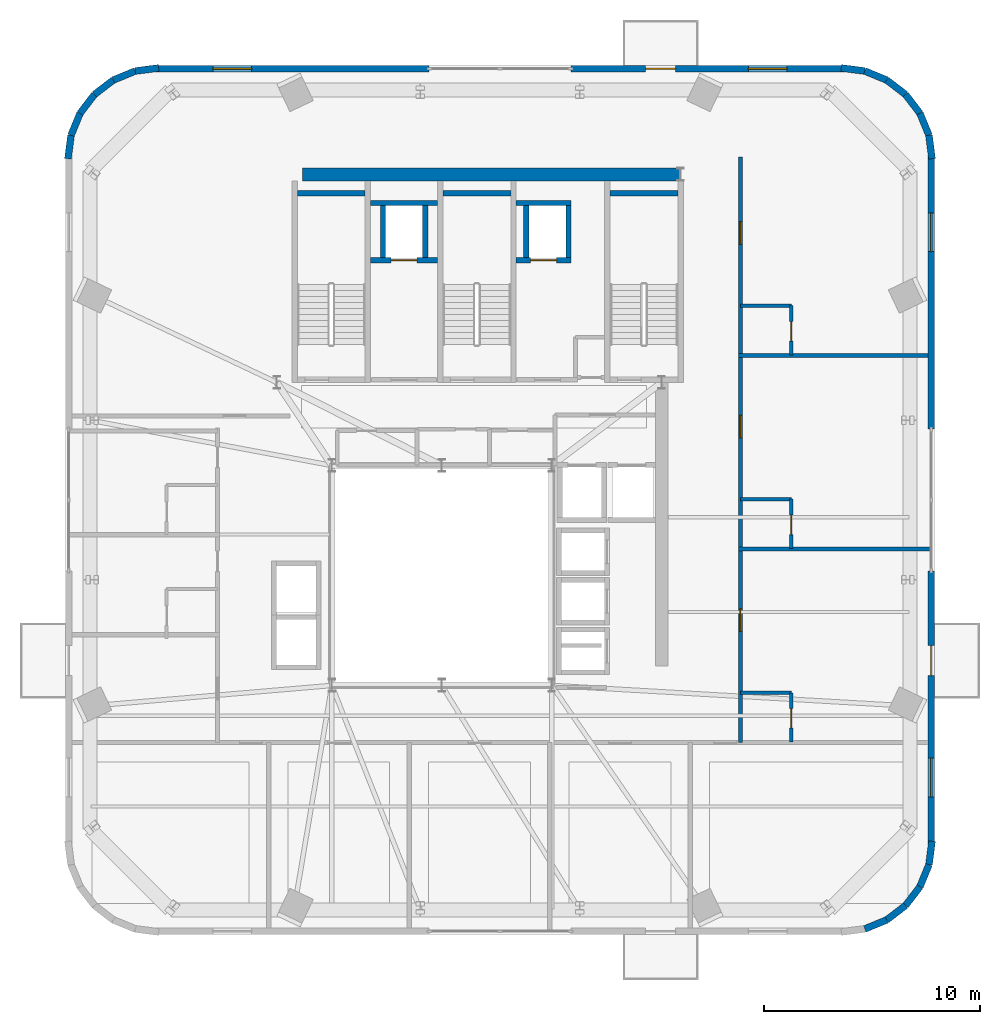
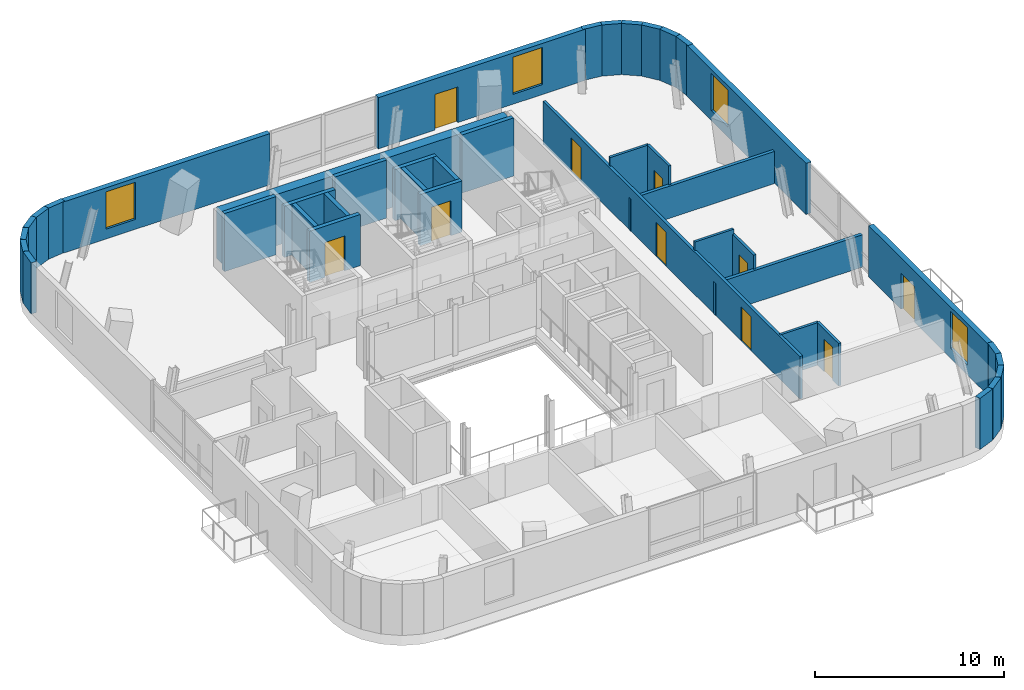
# One storey, part 9 of 13: 42 walls, 10 doors, 4 windows, 14 openings.
"""IFC4 building model written with IfcOpenShell, lengths in metres."""

import ifcopenshell
import ifcopenshell.guid

model = None  # the IFC model being written
_history = None  # IfcOwnerHistory: only IFC2X3 demands one
_inside = {}  # id of a spatial element -> (the spatial element, [elements in it])
_under = {}  # id of a project, library or spatial element -> (it, [spatial elements below it])
_declared = {}  # id of a project -> (the project, [libraries it declares])
_typed = {}  # id of a type object -> (the type object, [elements of that type])
_made_of = {}  # id of a material, layer set ... -> (it, [elements and type objects made of it])


def new_model(schema):
    """Start an empty IFC model of exactly this schema.

    Asked for "IFC4X3", IfcOpenShell would pick the latest addendum, in which some entities
    have other attributes; the version numbers below select the first issue.
    IFC2X3 requires an IfcOwnerHistory on every rooted entity: one is made here for all.
    """
    global model, _history
    if schema == "IFC4X3":
        model = ifcopenshell.file(schema_version=(4, 3, 0, 0))
    else:
        model = ifcopenshell.file(schema=schema)
    _inside.clear()
    _under.clear()
    _declared.clear()
    _typed.clear()
    _made_of.clear()
    _history = None
    if model.schema == "IFC2X3":
        org = make("IfcOrganization", Name="unknown")
        user = make(
            "IfcPersonAndOrganization",
            ThePerson=make("IfcPerson", FamilyName="unknown"),
            TheOrganization=org,
        )
        app = make(
            "IfcApplication",
            ApplicationDeveloper=org,
            Version="unknown",
            ApplicationFullName="unknown",
            ApplicationIdentifier="unknown",
        )
        _history = make(
            "IfcOwnerHistory",
            OwningUser=user,
            OwningApplication=app,
            ChangeAction="ADDED",
            CreationDate=0,
        )
    return model


def make(cls, **values):
    """One entity of the class cls with the attributes given. An attribute that is None is left unset."""
    return model.create_entity(
        cls, **{name: value for name, value in values.items() if value is not None}
    )


def rooted(cls, **values):
    """An entity with a GlobalId (a new one), such as an element, a storey or a relation."""
    return make(cls, GlobalId=ifcopenshell.guid.new(), OwnerHistory=_history, **values)


def si_unit(unit_type, name, prefix=None):
    """IfcSIUnit, for example si_unit("LENGTHUNIT", "METRE", prefix="MILLI")."""
    return make("IfcSIUnit", UnitType=unit_type, Prefix=prefix, Name=name)


def assignment(units):
    """IfcUnitAssignment: the units of a project."""
    return None if units is None else make("IfcUnitAssignment", Units=units)


def point(xyz):
    """IfcCartesianPoint."""
    return None if xyz is None else make("IfcCartesianPoint", Coordinates=xyz)


def direction(xyz):
    """IfcDirection."""
    return None if xyz is None else make("IfcDirection", DirectionRatios=xyz)


def frame(location, z_axis=None, x_axis=None):
    """IfcAxis2Placement3D, a coordinate frame: its origin and axes. An axis left out is left unset."""
    return make(
        "IfcAxis2Placement3D",
        Location=point(location),
        Axis=direction(z_axis),
        RefDirection=direction(x_axis),
    )


def frame_2d(location, x_axis=None):
    """IfcAxis2Placement2D, a coordinate frame in the plane: its origin and x axis."""
    return make(
        "IfcAxis2Placement2D", Location=point(location), RefDirection=direction(x_axis)
    )


def origin():
    """The frame at (0, 0, 0) with its axes left unset."""
    return frame((0.0, 0.0, 0.0))


def place(relative_to, where):
    """IfcLocalPlacement: puts the frame where relative to a parent placement (None: the world)."""
    return make(
        "IfcLocalPlacement", PlacementRelTo=relative_to, RelativePlacement=where
    )


def context(
    kind, dimensions, precision=None, world=None, true_north=None, identifier=None
):
    """IfcGeometricRepresentationContext, for example the 3D "Model" context."""
    return make(
        "IfcGeometricRepresentationContext",
        ContextIdentifier=identifier,
        ContextType=kind,
        CoordinateSpaceDimension=dimensions,
        Precision=precision,
        WorldCoordinateSystem=world,
        TrueNorth=true_north,
    )


def subcontext(parent, identifier, kind, view, scale=None):
    """IfcGeometricRepresentationSubContext, for example "Body" below "Model"."""
    return make(
        "IfcGeometricRepresentationSubContext",
        ContextIdentifier=identifier,
        ContextType=kind,
        ParentContext=parent,
        TargetScale=scale,
        TargetView=view,
    )


def project(units=None, contexts=None):
    """IfcProject with its units and contexts."""
    return rooted(
        "IfcProject",
        Name="project",
        RepresentationContexts=contexts,
        UnitsInContext=assignment(units),
    )


def spatial(cls, under=None, at=None, **own):
    """A site, building, storey or space (cls), placed at a placement, below another one or the project."""
    s = rooted(cls, ObjectPlacement=at, **own)
    if under is not None:
        _under.setdefault(under.id(), (under, []))[1].append(s)
    return s


def profile(cls, at=None, kind="AREA", **sizes):
    """A parametric profile (cls). Its sizes go by their IFC names, for example OverallWidth=200.0."""
    return make(cls, ProfileType=kind, Position=at, **sizes)


def rectangle(**sizes):
    """IfcRectangleProfileDef."""
    return profile("IfcRectangleProfileDef", **sizes)


def extrude(swept, where, along, depth):
    """IfcExtrudedAreaSolid: the profile swept, set in the frame where, extruded along a direction by depth."""
    return make(
        "IfcExtrudedAreaSolid",
        SweptArea=swept,
        Position=where,
        ExtrudedDirection=direction(along),
        Depth=depth,
    )


def shape(context_of_items, identifier, shape_type, items):
    """IfcShapeRepresentation: the items that make up one representation, for example the "Body"."""
    return make(
        "IfcShapeRepresentation",
        ContextOfItems=context_of_items,
        RepresentationIdentifier=identifier,
        RepresentationType=shape_type,
        Items=items,
    )


def source(mapping_origin, context_of_items, identifier, shape_type, items):
    """IfcRepresentationMap: a shape defined once, which mapped items show again and again."""
    return make(
        "IfcRepresentationMap",
        MappingOrigin=mapping_origin,
        MappedRepresentation=shape(context_of_items, identifier, shape_type, items),
    )


def transform(
    local_origin,
    x_axis=None,
    y_axis=None,
    z_axis=None,
    scale=None,
    scale2=None,
    scale3=None,
    uniform=True,
):
    """IfcCartesianTransformationOperator3D, or its non-uniform kind. x_axis, y_axis, z_axis: its Axis1, 2, 3."""
    if uniform:
        return make(
            "IfcCartesianTransformationOperator3D",
            Axis1=direction(x_axis),
            Axis2=direction(y_axis),
            LocalOrigin=point(local_origin),
            Scale=scale,
            Axis3=direction(z_axis),
        )
    return make(
        "IfcCartesianTransformationOperator3DnonUniform",
        Axis1=direction(x_axis),
        Axis2=direction(y_axis),
        LocalOrigin=point(local_origin),
        Scale=scale,
        Axis3=direction(z_axis),
        Scale2=scale2,
        Scale3=scale3,
    )


def mapped(mapping_source, mapping_target):
    """IfcMappedItem: shows the shape of a source again, moved by a transform."""
    return make(
        "IfcMappedItem", MappingSource=mapping_source, MappingTarget=mapping_target
    )


def material(Name=None, Category=None):
    """IfcMaterial."""
    return make("IfcMaterial", Name=Name, Category=Category)


def layer(
    of_material, thickness, ventilated=None, Name=None, Category=None, Priority=None
):
    """IfcMaterialLayer: one layer of a wall or slab, of a material (None: an air gap)."""
    return make(
        "IfcMaterialLayer",
        Material=of_material,
        LayerThickness=thickness,
        IsVentilated=ventilated,
        Name=Name,
        Category=Category,
        Priority=Priority,
    )


def layer_set(layers, Name=None):
    """IfcMaterialLayerSet."""
    return make("IfcMaterialLayerSet", MaterialLayers=layers, LayerSetName=Name)


def made_of(thing, what):
    """Note that an element or type object is made of a material, layer set ...; save() writes the relation."""
    if what is not None:
        _made_of.setdefault(what.id(), (what, []))[1].append(thing)
    return thing


def type_object(cls, material=None, **own):
    """A type object (cls), such as IfcWallType, which elements share."""
    return made_of(rooted(cls, **own), material)


def element(
    cls,
    number,
    at=None,
    inside=None,
    cuts=None,
    type_object=None,
    material=None,
    context=None,
    identifier="Body",
    shape_type=None,
    held_by="IfcProductDefinitionShape",
    body=None,
    shapes=None,
    **own,
):
    """One element of the class cls, such as IfcWall. Its Tag is "e" and its number.

    at: its placement. inside: the storey or other place that contains it. cuts: it is an
    opening in that element (IfcRelVoidsElement). A single representation is given by context,
    identifier, shape_type and body (its items); several are given by shapes. held_by: the class
    of the entity that holds the representations. save() writes the other relations.
    """
    e = rooted(cls, Tag="e%d" % number, ObjectPlacement=at, **own)
    if body is not None:
        shapes = [shape(context, identifier, shape_type, body)]
    if shapes is not None:
        e.Representation = make(held_by, Representations=shapes)
    if inside is not None:
        _inside.setdefault(inside.id(), (inside, []))[1].append(e)
    if cuts is not None:
        rooted(
            "IfcRelVoidsElement", RelatingBuildingElement=cuts, RelatedOpeningElement=e
        )
    if type_object is not None:
        _typed.setdefault(type_object.id(), (type_object, []))[1].append(e)
    return made_of(e, material)


def fill(opening, filler):
    """IfcRelFillsElement: the door or window that sits in an opening."""
    return rooted(
        "IfcRelFillsElement",
        RelatingOpeningElement=opening,
        RelatedBuildingElement=filler,
    )


def aggregate(whole, parts):
    """IfcRelAggregates: a whole, such as a stair, and the parts it consists of."""
    return rooted("IfcRelAggregates", RelatingObject=whole, RelatedObjects=parts)


def save(model, path):
    """Write the relations noted so far, then the file.

    IfcRelAggregates (storeys below a building ...), IfcRelContainedInSpatialStructure (elements
    in a storey), IfcRelDefinesByType, IfcRelAssociatesMaterial and IfcRelDeclares: one each for
    every whole, place, type object, material and project.
    """
    for whole, parts in _under.values():
        aggregate(whole, parts)
    for where, things in _inside.values():
        rooted(
            "IfcRelContainedInSpatialStructure",
            RelatedElements=things,
            RelatingStructure=where,
        )
    for kind, things in _typed.values():
        rooted("IfcRelDefinesByType", RelatedObjects=things, RelatingType=kind)
    for what, things in _made_of.values():
        rooted("IfcRelAssociatesMaterial", RelatedObjects=things, RelatingMaterial=what)
    for by, libraries in _declared.values():
        rooted("IfcRelDeclares", RelatingContext=by, RelatedDefinitions=libraries)
    model.write(path)


model = new_model("IFC4")

# Units and contexts
model_context = context("Model", 3, precision=1e-05, world=origin(), true_north=direction((0.0, 1.0)))
body_context = subcontext(model_context, "Body", "Model", "MODEL_VIEW")
ifc_project = project(units=[si_unit("LENGTHUNIT", "METRE"), si_unit("AREAUNIT", "SQUARE_METRE"), si_unit("VOLUMEUNIT", "CUBIC_METRE"), si_unit("PLANEANGLEUNIT", "RADIAN"), si_unit("MASSUNIT", "GRAM", prefix="KILO")], contexts=[model_context])

# Site, building, storey
site_placement = place(None, origin())
site = spatial("IfcSite", under=ifc_project, at=site_placement, CompositionType="ELEMENT")
building_placement = place(site_placement, origin())
building = spatial("IfcBuilding", under=site, at=building_placement, Name="Vardaveli Station Tower", CompositionType="ELEMENT")
storey_placement = place(building_placement, frame((0.0, 0.0, 278.25)))
storey = spatial("IfcBuildingStorey", under=building, at=storey_placement, Name="L71", CompositionType="ELEMENT", Elevation=278.25)

# Wall
ifc_material_1 = material(Name="Concrete C50/60", Category="concrete")
ifc_layer_1 = layer(ifc_material_1, 0.60009765625, Name="Concrete C50/60")
ifc_layer_set_1 = layer_set([ifc_layer_1], Name="Concrete C50/60")
wall_type_1 = type_object("IfcWallType", Name="WAL-CORE-600", PredefinedType="SHEAR", material=ifc_layer_set_1)
shared_shape_1 = source(origin(), body_context, "Body", "SweptSolid", [
    extrude(rectangle(XDim=17.52001953125, YDim=0.60009765625, at=frame_2d((8.760009765625, 0.0))), origin(), (0.0, 0.0, 1.0), 3.300048828125),
])
wall_1_placement = place(storey_placement, frame((29.85009765625, 40.300048828125, 0.0), z_axis=(0.0, 0.0, 1.0), x_axis=(1.0, 0.0, 0.0)))
element("IfcWall", 1, at=wall_1_placement, inside=storey, type_object=wall_type_1, Name="SW-L71-NORTH", PredefinedType="SHEAR", context=body_context, shape_type="MappedRepresentation", body=[
    mapped(shared_shape_1, transform((0.0, 0.0, 0.0), scale=1.0)),
])

# Wall, openings, door, window
ifc_material_2 = material(Name="Precast concrete C45/55", Category="concrete")
ifc_layer_2 = layer(ifc_material_2, 0.320068359375, Name="Precast concrete C45/55")
ifc_layer_set_2 = layer_set([ifc_layer_2], Name="Precast concrete C45/55")
wall_type_2 = type_object("IfcWallType", Name="WAL-EXT-STONE-320", PredefinedType="SOLIDWALL", material=ifc_layer_set_2)
shared_shape_2 = source(origin(), body_context, "Body", "SweptSolid", [
    extrude(rectangle(XDim=12.6259765625, YDim=0.320068359375, at=frame_2d((6.31298828125, 0.0))), origin(), (0.0, 0.0, 1.0), 3.300048828125),
])
wall_2_placement = place(storey_placement, frame((54.926025390625, 45.199951171875, 0.0), z_axis=(0.0, 0.0, 1.0), x_axis=(-1.0, 0.0, 0.0)))
wall_2 = element("IfcWall", 2, at=wall_2_placement, inside=storey, type_object=wall_type_2, Name="EW-L71-N1", PredefinedType="SOLIDWALL", context=body_context, shape_type="MappedRepresentation", body=[
    mapped(shared_shape_2, transform((0.0, 0.0, 0.0), scale=1.0)),
])
shared_shape_3 = source(origin(), body_context, "Body", "SweptSolid", [
    extrude(rectangle(XDim=1.39990234375, YDim=2.300048828125, at=frame_2d((0.699951171875, 1.14990234375))), frame((0.0, 0.169921875, 0.0), z_axis=(0.0, -1.0, 0.0), x_axis=(1.0, 0.0, 0.0)), (0.0, 0.0, 1.0), 0.340087890625),
])
opening_1_placement = place(wall_2_placement, frame((7.7783203125, 0.0, 0.0)))
opening_1 = element("IfcOpeningElement", 3, at=opening_1_placement, cuts=wall_2, Name="Opening D-09", PredefinedType="OPENING", context=body_context, shape_type="MappedRepresentation", body=[
    mapped(shared_shape_3, transform((0.0, 0.0, 0.0), scale=1.0)),
])
shared_shape_4 = source(origin(), body_context, "Body", "SweptSolid", [
    extrude(rectangle(XDim=1.800048828125, YDim=2.39990234375, at=frame_2d((0.89990234375, 1.199951171875))), frame((0.0, 0.169921875, 0.0), z_axis=(0.0, -1.0, 0.0), x_axis=(1.0, 0.0, 0.0)), (0.0, 0.0, 1.0), 0.340087890625),
])
opening_2_placement = place(wall_2_placement, frame((2.610107421875, 0.0, 0.639892578125)))
opening_2 = element("IfcOpeningElement", 4, at=opening_2_placement, cuts=wall_2, Name="Opening W-05", PredefinedType="OPENING", context=body_context, shape_type="MappedRepresentation", body=[
    mapped(shared_shape_4, transform((0.0, 0.0, 0.0), scale=1.0)),
])
ifc_material_3 = material(Name="Thermally broken aluminium glass", Category="aluminium")
door_type_1 = type_object("IfcDoorType", Name="DR-LOG-1400x2300", OperationType="DOUBLE_DOOR_SLIDING", PredefinedType="DOOR", material=ifc_material_3)
shared_shape_5 = source(origin(), body_context, "Body", "SweptSolid", [
    extrude(rectangle(XDim=1.39990234375, YDim=2.300048828125, at=frame_2d((0.699951171875, 1.14990234375))), frame((0.0, 0.02490234375, 0.0), z_axis=(0.0, -1.0, 0.0), x_axis=(1.0, 0.0, 0.0)), (0.0, 0.0, 1.0), 0.050048828125),
])
door_1_placement = place(opening_1_placement, frame((1.39990234375, 0.0, 0.0), z_axis=(0.0, 0.0, 1.0), x_axis=(-1.0, 0.0, 0.0)))
door_1 = element("IfcDoor", 5, at=door_1_placement, inside=storey, type_object=door_type_1, Name="DLG-L71-N", OperationType="DOUBLE_DOOR_SLIDING", OverallHeight=2.300048828125, OverallWidth=1.39990234375, PredefinedType="DOOR", context=body_context, shape_type="MappedRepresentation", body=[
    mapped(shared_shape_5, transform((0.0, 0.0, 0.0), scale=1.0)),
])
fill(opening_1, door_1)
ifc_material_4 = material(Name="Low-E solar-control glass", Category="glass")
window_type = type_object("IfcWindowType", Name="WIN-HIGH-1800x2400", PartitioningType="SINGLE_PANEL", PredefinedType="WINDOW", material=ifc_material_4)
shared_shape_6 = source(origin(), body_context, "Body", "SweptSolid", [
    extrude(rectangle(XDim=1.800048828125, YDim=2.39990234375, at=frame_2d((0.89990234375, 1.199951171875))), frame((0.0, 0.030029296875, 0.0), z_axis=(0.0, -1.0, 0.0), x_axis=(1.0, 0.0, 0.0)), (0.0, 0.0, 1.0), 0.06005859375),
])
window_1_placement = place(opening_2_placement, origin())
window_1 = element("IfcWindow", 6, at=window_1_placement, inside=storey, type_object=window_type, Name="WN-L71-N1", OverallHeight=2.39990234375, OverallWidth=1.800048828125, PartitioningType="SINGLE_PANEL", PredefinedType="WINDOW", context=body_context, shape_type="MappedRepresentation", body=[
    mapped(shared_shape_6, transform((0.0, 0.0, 0.0), scale=1.0)),
])
fill(opening_2, window_1)

# Wall, opening, window
wall_3_placement = place(storey_placement, frame((35.699951171875, 45.199951171875, 0.0), z_axis=(0.0, 0.0, 1.0), x_axis=(-1.0, 0.0, 0.0)))
wall_3 = element("IfcWall", 7, at=wall_3_placement, inside=storey, type_object=wall_type_2, Name="EW-L71-N2", PredefinedType="SOLIDWALL", context=body_context, shape_type="MappedRepresentation", body=[
    mapped(shared_shape_2, transform((0.0, 0.0, 0.0), scale=1.0)),
])
opening_3_placement = place(wall_3_placement, frame((8.2158203125, 0.0, 0.639892578125)))
opening_3 = element("IfcOpeningElement", 8, at=opening_3_placement, cuts=wall_3, Name="Opening W-05", PredefinedType="OPENING", context=body_context, shape_type="MappedRepresentation", body=[
    mapped(shared_shape_4, transform((0.0, 0.0, 0.0), scale=1.0)),
])
window_2_placement = place(opening_3_placement, origin())
window_2 = element("IfcWindow", 9, at=window_2_placement, inside=storey, type_object=window_type, Name="WN-L71-N2", OverallHeight=2.39990234375, OverallWidth=1.800048828125, PartitioningType="SINGLE_PANEL", PredefinedType="WINDOW", context=body_context, shape_type="MappedRepresentation", body=[
    mapped(shared_shape_6, transform((0.0, 0.0, 0.0), scale=1.0)),
])
fill(opening_3, window_2)

# Wall, openings, door, window
wall_4_placement = place(storey_placement, frame((59.0, 9.27392578125, 0.0), z_axis=(0.0, 0.0, 1.0), x_axis=(0.0, 1.0, 0.0)))
wall_4 = element("IfcWall", 10, at=wall_4_placement, inside=storey, type_object=wall_type_2, Name="EW-L71-E1", PredefinedType="SOLIDWALL", context=body_context, shape_type="MappedRepresentation", body=[
    mapped(shared_shape_2, transform((0.0, 0.0, 0.0), scale=1.0)),
])
opening_4_placement = place(wall_4_placement, frame((7.7783203125, 0.0, 0.0)))
opening_4 = element("IfcOpeningElement", 11, at=opening_4_placement, cuts=wall_4, Name="Opening D-09", PredefinedType="OPENING", context=body_context, shape_type="MappedRepresentation", body=[
    mapped(shared_shape_3, transform((0.0, 0.0, 0.0), scale=1.0)),
])
opening_5_placement = place(wall_4_placement, frame((2.16015625, 0.0, 0.639892578125)))
opening_5 = element("IfcOpeningElement", 12, at=opening_5_placement, cuts=wall_4, Name="Opening W-05", PredefinedType="OPENING", context=body_context, shape_type="MappedRepresentation", body=[
    mapped(shared_shape_4, transform((0.0, 0.0, 0.0), scale=1.0)),
])
door_2_placement = place(opening_4_placement, frame((1.39990234375, 0.0, 0.0), z_axis=(0.0, 0.0, 1.0), x_axis=(-1.0, 0.0, 0.0)))
door_2 = element("IfcDoor", 13, at=door_2_placement, inside=storey, type_object=door_type_1, Name="DLG-L71-E", OperationType="DOUBLE_DOOR_SLIDING", OverallHeight=2.300048828125, OverallWidth=1.39990234375, PredefinedType="DOOR", context=body_context, shape_type="MappedRepresentation", body=[
    mapped(shared_shape_5, transform((0.0, 0.0, 0.0), scale=1.0)),
])
fill(opening_4, door_2)
window_3_placement = place(opening_5_placement, origin())
window_3 = element("IfcWindow", 14, at=window_3_placement, inside=storey, type_object=window_type, Name="WN-L71-E1", OverallHeight=2.39990234375, OverallWidth=1.800048828125, PartitioningType="SINGLE_PANEL", PredefinedType="WINDOW", context=body_context, shape_type="MappedRepresentation", body=[
    mapped(shared_shape_6, transform((0.0, 0.0, 0.0), scale=1.0)),
])
fill(opening_5, window_3)

# Wall, opening, window
wall_5_placement = place(storey_placement, frame((59.0, 28.5, 0.0), z_axis=(0.0, 0.0, 1.0), x_axis=(0.0, 1.0, 0.0)))
wall_5 = element("IfcWall", 15, at=wall_5_placement, inside=storey, type_object=wall_type_2, Name="EW-L71-E2", PredefinedType="SOLIDWALL", context=body_context, shape_type="MappedRepresentation", body=[
    mapped(shared_shape_2, transform((0.0, 0.0, 0.0), scale=1.0)),
])
opening_6_placement = place(wall_5_placement, frame((8.2158203125, 0.0, 0.639892578125)))
opening_6 = element("IfcOpeningElement", 16, at=opening_6_placement, cuts=wall_5, Name="Opening W-05", PredefinedType="OPENING", context=body_context, shape_type="MappedRepresentation", body=[
    mapped(shared_shape_4, transform((0.0, 0.0, 0.0), scale=1.0)),
])
window_4_placement = place(opening_6_placement, origin())
window_4 = element("IfcWindow", 17, at=window_4_placement, inside=storey, type_object=window_type, Name="WN-L71-E2", OverallHeight=2.39990234375, OverallWidth=1.800048828125, PartitioningType="SINGLE_PANEL", PredefinedType="WINDOW", context=body_context, shape_type="MappedRepresentation", body=[
    mapped(shared_shape_6, transform((0.0, 0.0, 0.0), scale=1.0)),
])
fill(opening_6, window_4)

# Walls
shared_shape_7 = source(origin(), body_context, "Body", "SweptSolid", [
    extrude(rectangle(XDim=1.1005859375, YDim=0.320068359375, at=frame_2d((0.55029296875, 0.0))), origin(), (0.0, 0.0, 1.0), 3.300048828125),
])
wall_6_placement = place(storey_placement, frame((58.893798828125, 8.28173828125, 0.0), z_axis=(0.0, 0.0, 1.0), x_axis=(0.127774253526, 0.991803276933, 0.0)))
element("IfcWall", 18, at=wall_6_placement, inside=storey, type_object=wall_type_2, Name="EW-L71-CR2-6", PredefinedType="SOLIDWALL", context=body_context, shape_type="MappedRepresentation", body=[
    mapped(shared_shape_7, transform((0.0, 0.0, 0.0), scale=1.0)),
])
shared_shape_8 = source(origin(), body_context, "Body", "SweptSolid", [
    extrude(rectangle(XDim=1.09912109375, YDim=0.320068359375, at=frame_2d((0.549560546875, 0.0))), origin(), (0.0, 0.0, 1.0), 3.300048828125),
])
for number, where, z_axis, x_axis, name in (
    (19, (55.918212890625, 5.30615234375, 0.0), (0.0, 0.0, 1.0), (0.924613688598, 0.380906191676, 0.0), "EW-L71-CR2-2"),
    (20, (58.47509765625, 7.265380859375, 0.0), (0.0, 0.0, 1.0), (0.380906191676, 0.924613688598, 0.0), "EW-L71-CR2-5"),
    (21, (58.893798828125, 42.1181640625, 0.0), (0.0, 0.0, 1.0), (-0.380906191676, 0.924613688598, 0.0), "EW-L71-CR3-2"),
    (22, (56.9345703125, 44.675048828125, 0.0), (0.0, 0.0, 1.0), (-0.924613688598, 0.380906191676, 0.0), "EW-L71-CR3-5"),
    (23, (22.081787109375, 45.09375, 0.0), (0.0, 0.0, 1.0), (-0.924613688598, -0.380906191676, 0.0), "EW-L71-CR4-2"),
    (24, (19.52490234375, 43.134521484375, 0.0), (0.0, 0.0, 1.0), (-0.380906191676, -0.924613688598, 0.0), "EW-L71-CR4-5"),
):
    element("IfcWall", number, at=place(storey_placement, frame(where, z_axis=z_axis, x_axis=x_axis)), inside=storey, type_object=wall_type_2, Name=name, PredefinedType="SOLIDWALL", context=body_context, shape_type="MappedRepresentation", body=[
        mapped(shared_shape_8, transform((0.0, 0.0, 0.0), scale=1.0)),
    ])
shared_shape_9 = source(origin(), body_context, "Body", "SweptSolid", [
    extrude(rectangle(XDim=1.098876953125, YDim=0.320068359375, at=frame_2d((0.54931640625, 0.0))), origin(), (0.0, 0.0, 1.0), 3.300048828125),
])
for number, where, z_axis, x_axis, name in (
    (25, (56.9345703125, 5.724853515625, 0.0), (0.0, 0.0, 1.0), (0.793663576825, 0.608356907432, 0.0), "EW-L71-CR2-3"),
    (26, (57.806640625, 6.393310546875, 0.0), (0.0, 0.0, 1.0), (0.608356907432, 0.793663576825, 0.0), "EW-L71-CR2-4"),
    (27, (58.47509765625, 43.134521484375, 0.0), (0.0, 0.0, 1.0), (-0.608249640514, 0.793745787274, 0.0), "EW-L71-CR3-3"),
    (28, (20.193359375, 44.0068359375, 0.0), (0.0, 0.0, 1.0), (-0.608249640514, -0.793745787274, 0.0), "EW-L71-CR4-4"),
):
    element("IfcWall", number, at=place(storey_placement, frame(where, z_axis=z_axis, x_axis=x_axis)), inside=storey, type_object=wall_type_2, Name=name, PredefinedType="SOLIDWALL", context=body_context, shape_type="MappedRepresentation", body=[
        mapped(shared_shape_9, transform((0.0, 0.0, 0.0), scale=1.0)),
    ])
shared_shape_10 = source(origin(), body_context, "Body", "SweptSolid", [
    extrude(rectangle(XDim=1.100341796875, YDim=0.320068359375, at=frame_2d((0.55029296875, 0.0))), origin(), (0.0, 0.0, 1.0), 3.300048828125),
])
for number, where, z_axis, x_axis, name in (
    (29, (59.034423828125, 41.02685546875, 0.0), (0.0, 0.0, 1.0), (-0.127802371532, 0.991799654079, 0.0), "EW-L71-CR3-1"),
    (30, (55.918212890625, 45.09375, 0.0), (0.0, 0.0, 1.0), (-0.991799654079, 0.127802371532, 0.0), "EW-L71-CR3-6"),
    (31, (23.173095703125, 45.234375, 0.0), (0.0, 0.0, 1.0), (-0.991799654079, -0.127802371532, 0.0), "EW-L71-CR4-1"),
    (32, (19.106201171875, 42.1181640625, 0.0), (0.0, 0.0, 1.0), (-0.127802371532, -0.991799654079, 0.0), "EW-L71-CR4-6"),
):
    element("IfcWall", number, at=place(storey_placement, frame(where, z_axis=z_axis, x_axis=x_axis)), inside=storey, type_object=wall_type_2, Name=name, PredefinedType="SOLIDWALL", context=body_context, shape_type="MappedRepresentation", body=[
        mapped(shared_shape_10, transform((0.0, 0.0, 0.0), scale=1.0)),
    ])
shared_shape_11 = source(origin(), body_context, "Body", "SweptSolid", [
    extrude(rectangle(XDim=1.0986328125, YDim=0.320068359375, at=frame_2d((0.54931640625, 0.0))), origin(), (0.0, 0.0, 1.0), 3.300048828125),
])
for number, where, z_axis, x_axis, name in (
    (33, (57.806640625, 44.0068359375, 0.0), (0.0, 0.0, 1.0), (-0.793770859262, 0.608216920997, 0.0), "EW-L71-CR3-4"),
    (34, (21.0654296875, 44.675048828125, 0.0), (0.0, 0.0, 1.0), (-0.793770859262, -0.608216920997, 0.0), "EW-L71-CR4-3"),
):
    element("IfcWall", number, at=place(storey_placement, frame(where, z_axis=z_axis, x_axis=x_axis)), inside=storey, type_object=wall_type_2, Name=name, PredefinedType="SOLIDWALL", context=body_context, shape_type="MappedRepresentation", body=[
        mapped(shared_shape_11, transform((0.0, 0.0, 0.0), scale=1.0)),
    ])
ifc_material_5 = material(Name="Concrete C40/50", Category="concrete")
ifc_layer_3 = layer(ifc_material_5, 0.25, Name="Concrete C40/50")
ifc_layer_set_3 = layer_set([ifc_layer_3], Name="Concrete C40/50")
wall_type_3 = type_object("IfcWallType", Name="WAL-SHAFT-250", PredefinedType="SOLIDWALL", material=ifc_layer_set_3)
shared_shape_12 = source(origin(), body_context, "Body", "SweptSolid", [
    extrude(rectangle(XDim=3.14990234375, YDim=0.25, at=frame_2d((1.574951171875, 0.0))), origin(), (0.0, 0.0, 1.0), 3.75),
])
for number, where, z_axis, x_axis, name in (
    (35, (29.60009765625, 39.425048828125, 0.0), (0.0, 0.0, 1.0), (1.0, 0.0, 0.0), "W-L71-ST-1N"),
    (36, (36.35009765625, 39.425048828125, 0.0), (0.0, 0.0, 1.0), (1.0, 0.0, 0.0), "W-L71-ST-2N"),
    (37, (44.10009765625, 39.425048828125, 0.0), (0.0, 0.0, 1.0), (1.0, 0.0, 0.0), "W-L71-ST-3N"),
):
    element("IfcWall", number, at=place(storey_placement, frame(where, z_axis=z_axis, x_axis=x_axis)), inside=storey, type_object=wall_type_3, Name=name, PredefinedType="SOLIDWALL", context=body_context, shape_type="MappedRepresentation", body=[
        mapped(shared_shape_12, transform((0.0, 0.0, 0.0), scale=1.0)),
    ])

# Wall, opening, door
shared_shape_13 = source(origin(), body_context, "Body", "SweptSolid", [
    extrude(rectangle(XDim=3.10009765625, YDim=0.25, at=frame_2d((1.550048828125, 0.0))), origin(), (0.0, 0.0, 1.0), 3.300048828125),
])
wall_7_placement = place(storey_placement, frame((33.0, 36.324951171875, 0.0), z_axis=(0.0, 0.0, 1.0), x_axis=(1.0, 0.0, 0.0)))
wall_7 = element("IfcWall", 38, at=wall_7_placement, inside=storey, type_object=wall_type_3, Name="SHW-FFL-01-L71-S", PredefinedType="SOLIDWALL", context=body_context, shape_type="MappedRepresentation", body=[
    mapped(shared_shape_13, transform((0.0, 0.0, 0.0), scale=1.0)),
])
shared_shape_14 = source(origin(), body_context, "Body", "SweptSolid", [
    extrude(rectangle(XDim=1.199951171875, YDim=2.25, at=frame_2d((0.60009765625, 1.125))), frame((0.0, 0.135009765625, 0.0), z_axis=(0.0, -1.0, 0.0), x_axis=(1.0, 0.0, 0.0)), (0.0, 0.0, 1.0), 0.27001953125),
])
opening_7_placement = place(wall_7_placement, frame((0.949951171875, 0.0, 0.0)))
opening_7 = element("IfcOpeningElement", 39, at=opening_7_placement, cuts=wall_7, Name="Opening LD-02", PredefinedType="OPENING", context=body_context, shape_type="MappedRepresentation", body=[
    mapped(shared_shape_14, transform((0.0, 0.0, 0.0), scale=1.0)),
])
ifc_material_6 = material(Name="Brushed stainless steel", Category="steel")
door_type_2 = type_object("IfcDoorType", Name="DR-LD-1200x2250", OperationType="DOUBLE_DOOR_SLIDING", PredefinedType="DOOR", material=ifc_material_6)
shared_shape_15 = source(origin(), body_context, "Body", "SweptSolid", [
    extrude(rectangle(XDim=1.199951171875, YDim=2.25, at=frame_2d((0.60009765625, 1.125))), frame((0.0, 0.02490234375, 0.0), z_axis=(0.0, -1.0, 0.0), x_axis=(1.0, 0.0, 0.0)), (0.0, 0.0, 1.0), 0.050048828125),
])
door_3_placement = place(opening_7_placement, origin())
door_3 = element("IfcDoor", 40, at=door_3_placement, inside=storey, type_object=door_type_2, Name="LD-FFL-01-L71", OperationType="DOUBLE_DOOR_SLIDING", OverallHeight=2.25, OverallWidth=1.199951171875, PredefinedType="DOOR", context=body_context, shape_type="MappedRepresentation", body=[
    mapped(shared_shape_15, transform((0.0, 0.0, 0.0), scale=1.0)),
])
fill(opening_7, door_3)

# Walls
wall_8_placement = place(storey_placement, frame((33.0, 38.97509765625, 0.0), z_axis=(0.0, 0.0, 1.0), x_axis=(1.0, 0.0, 0.0)))
element("IfcWall", 41, at=wall_8_placement, inside=storey, type_object=wall_type_3, Name="SHW-FFL-01-L71-N", PredefinedType="SOLIDWALL", context=body_context, shape_type="MappedRepresentation", body=[
    mapped(shared_shape_13, transform((0.0, 0.0, 0.0), scale=1.0)),
])
shared_shape_16 = source(origin(), body_context, "Body", "SweptSolid", [
    extrude(rectangle(XDim=2.400146484375, YDim=0.25, at=frame_2d((1.2001953125, 0.0))), origin(), (0.0, 0.0, 1.0), 3.300048828125),
])
for number, where, z_axis, x_axis, name in (
    (42, (33.574951171875, 36.449951171875, 0.0), (0.0, 0.0, 1.0), (0.0, 1.0, 0.0), "SHW-FFL-01-L71-W"),
    (43, (35.52490234375, 36.449951171875, 0.0), (0.0, 0.0, 1.0), (0.0, 1.0, 0.0), "SHW-FFL-01-L71-E"),
    (44, (40.22509765625, 36.449951171875, 0.0), (0.0, 0.0, 1.0), (0.0, 1.0, 0.0), "SHW-FFL-02-L71-W"),
    (45, (42.175048828125, 36.449951171875, 0.0), (0.0, 0.0, 1.0), (0.0, 1.0, 0.0), "SHW-FFL-02-L71-E"),
):
    element("IfcWall", number, at=place(storey_placement, frame(where, z_axis=z_axis, x_axis=x_axis)), inside=storey, type_object=wall_type_3, Name=name, PredefinedType="SOLIDWALL", context=body_context, shape_type="MappedRepresentation", body=[
        mapped(shared_shape_16, transform((0.0, 0.0, 0.0), scale=1.0)),
    ])

# Wall, opening, door
shared_shape_17 = source(origin(), body_context, "Body", "SweptSolid", [
    extrude(rectangle(XDim=2.550048828125, YDim=0.25, at=frame_2d((1.27490234375, 0.0))), origin(), (0.0, 0.0, 1.0), 3.300048828125),
])
wall_9_placement = place(storey_placement, frame((39.75, 36.324951171875, 0.0), z_axis=(0.0, 0.0, 1.0), x_axis=(1.0, 0.0, 0.0)))
wall_9 = element("IfcWall", 46, at=wall_9_placement, inside=storey, type_object=wall_type_3, Name="SHW-FFL-02-L71-S", PredefinedType="SOLIDWALL", context=body_context, shape_type="MappedRepresentation", body=[
    mapped(shared_shape_17, transform((0.0, 0.0, 0.0), scale=1.0)),
])
opening_8_placement = place(wall_9_placement, frame((0.675048828125, 0.0, 0.0)))
opening_8 = element("IfcOpeningElement", 47, at=opening_8_placement, cuts=wall_9, Name="Opening LD-02", PredefinedType="OPENING", context=body_context, shape_type="MappedRepresentation", body=[
    mapped(shared_shape_14, transform((0.0, 0.0, 0.0), scale=1.0)),
])
door_4_placement = place(opening_8_placement, origin())
door_4 = element("IfcDoor", 48, at=door_4_placement, inside=storey, type_object=door_type_2, Name="LD-FFL-02-L71", OperationType="DOUBLE_DOOR_SLIDING", OverallHeight=2.25, OverallWidth=1.199951171875, PredefinedType="DOOR", context=body_context, shape_type="MappedRepresentation", body=[
    mapped(shared_shape_15, transform((0.0, 0.0, 0.0), scale=1.0)),
])
fill(opening_8, door_4)

# Wall
wall_10_placement = place(storey_placement, frame((39.75, 38.97509765625, 0.0), z_axis=(0.0, 0.0, 1.0), x_axis=(1.0, 0.0, 0.0)))
element("IfcWall", 49, at=wall_10_placement, inside=storey, type_object=wall_type_3, Name="SHW-FFL-02-L71-N", PredefinedType="SOLIDWALL", context=body_context, shape_type="MappedRepresentation", body=[
    mapped(shared_shape_17, transform((0.0, 0.0, 0.0), scale=1.0)),
])

# Wall, openings, doors
ifc_material_7 = material(Name="Fire-rated gypsum stud partition")
ifc_layer_4 = layer(ifc_material_7, 0.179931640625, Name="Fire-rated gypsum stud partition")
ifc_layer_set_4 = layer_set([ifc_layer_4], Name="Fire-rated gypsum stud partition")
wall_type_4 = type_object("IfcWallType", Name="WAL-CORR-180", PredefinedType="PARTITIONING", material=ifc_layer_set_4)
shared_shape_18 = source(origin(), body_context, "Body", "SweptSolid", [
    extrude(rectangle(XDim=27.150146484375, YDim=0.179931640625, at=frame_2d((13.5751953125, 0.0))), origin(), (0.0, 0.0, 1.0), 2.741943359375),
])
wall_11_placement = place(storey_placement, frame((50.14990234375, 13.949951171875, 0.0), z_axis=(0.0, 0.0, 1.0), x_axis=(0.0, 1.0, 0.0)))
wall_11 = element("IfcWall", 50, at=wall_11_placement, inside=storey, type_object=wall_type_4, Name="W-L71-CE", PredefinedType="PARTITIONING", context=body_context, shape_type="MappedRepresentation", body=[
    mapped(shared_shape_18, transform((0.0, 0.0, 0.0), scale=1.0)),
])
shared_shape_19 = source(origin(), body_context, "Body", "SweptSolid", [
    extrude(rectangle(XDim=1.050048828125, YDim=2.199951171875, at=frame_2d((0.52490234375, 1.10009765625))), frame((0.0, 0.10009765625, 0.0), z_axis=(0.0, -1.0, 0.0), x_axis=(1.0, 0.0, 0.0)), (0.0, 0.0, 1.0), 0.199951171875),
])
opening_9_placement = place(wall_11_placement, frame((5.1533203125, 0.0, 0.0)))
opening_9 = element("IfcOpeningElement", 51, at=opening_9_placement, cuts=wall_11, Name="Opening D-05", PredefinedType="OPENING", context=body_context, shape_type="MappedRepresentation", body=[
    mapped(shared_shape_19, transform((0.0, 0.0, 0.0), scale=1.0)),
])
opening_10_placement = place(wall_11_placement, frame((14.1298828125, 0.0, 0.0)))
opening_10 = element("IfcOpeningElement", 52, at=opening_10_placement, cuts=wall_11, Name="Opening D-05", PredefinedType="OPENING", context=body_context, shape_type="MappedRepresentation", body=[
    mapped(shared_shape_19, transform((0.0, 0.0, 0.0), scale=1.0)),
])
opening_11_placement = place(wall_11_placement, frame((23.106689453125, 0.0, 0.0)))
opening_11 = element("IfcOpeningElement", 53, at=opening_11_placement, cuts=wall_11, Name="Opening D-05", PredefinedType="OPENING", context=body_context, shape_type="MappedRepresentation", body=[
    mapped(shared_shape_19, transform((0.0, 0.0, 0.0), scale=1.0)),
])
ifc_material_8 = material(Name="Walnut veneer acoustic fire door")
door_type_3 = type_object("IfcDoorType", Name="DR-SUITE-1050x2200", OperationType="NOTDEFINED", PredefinedType="DOOR", material=ifc_material_8)
shared_shape_20 = source(origin(), body_context, "Body", "SweptSolid", [
    extrude(rectangle(XDim=1.050048828125, YDim=2.199951171875, at=frame_2d((0.52490234375, 1.10009765625))), frame((0.0, 0.02490234375, 0.0), z_axis=(0.0, -1.0, 0.0), x_axis=(1.0, 0.0, 0.0)), (0.0, 0.0, 1.0), 0.050048828125),
])
door_5_placement = place(opening_9_placement, origin())
door_5 = element("IfcDoor", 54, at=door_5_placement, inside=storey, type_object=door_type_3, Name="D-L71-GE1", OperationType="SINGLE_SWING_RIGHT", OverallHeight=2.199951171875, OverallWidth=1.050048828125, PredefinedType="DOOR", context=body_context, shape_type="MappedRepresentation", body=[
    mapped(shared_shape_20, transform((0.0, 0.0, 0.0), scale=1.0)),
])
fill(opening_9, door_5)
door_6_placement = place(opening_10_placement, origin())
door_6 = element("IfcDoor", 55, at=door_6_placement, inside=storey, type_object=door_type_3, Name="D-L71-GE2", OperationType="SINGLE_SWING_LEFT", OverallHeight=2.199951171875, OverallWidth=1.050048828125, PredefinedType="DOOR", context=body_context, shape_type="MappedRepresentation", body=[
    mapped(shared_shape_20, transform((0.0, 0.0, 0.0), scale=1.0)),
])
fill(opening_10, door_6)
door_7_placement = place(opening_11_placement, origin())
door_7 = element("IfcDoor", 56, at=door_7_placement, inside=storey, type_object=door_type_3, Name="D-L71-GE3", OperationType="SINGLE_SWING_RIGHT", OverallHeight=2.199951171875, OverallWidth=1.050048828125, PredefinedType="DOOR", context=body_context, shape_type="MappedRepresentation", body=[
    mapped(shared_shape_20, transform((0.0, 0.0, 0.0), scale=1.0)),
])
fill(opening_11, door_7)

# Wall, opening, door
ifc_material_9 = material(Name="Moisture-resistant stud partition")
ifc_layer_5 = layer(ifc_material_9, 0.14990234375, Name="Moisture-resistant stud partition")
ifc_layer_set_5 = layer_set([ifc_layer_5], Name="Moisture-resistant stud partition")
wall_type_5 = type_object("IfcWallType", Name="WAL-WET-150", PredefinedType="PARTITIONING", material=ifc_layer_set_5)
shared_shape_21 = source(origin(), body_context, "Body", "SweptSolid", [
    extrude(rectangle(XDim=2.289794921875, YDim=0.14990234375, at=frame_2d((1.14501953125, 0.0))), origin(), (0.0, 0.0, 1.0), 3.300048828125),
])
wall_12_placement = place(storey_placement, frame((52.510009765625, 31.923095703125, 0.0), z_axis=(0.0, 0.0, 1.0), x_axis=(0.0, 1.0, 0.0)))
wall_12 = element("IfcWall", 57, at=wall_12_placement, inside=storey, type_object=wall_type_5, Name="W-L71-BE3-E", PredefinedType="PARTITIONING", context=body_context, shape_type="MappedRepresentation", body=[
    mapped(shared_shape_21, transform((0.0, 0.0, 0.0), scale=1.0)),
])
shared_shape_22 = source(origin(), body_context, "Body", "SweptSolid", [
    extrude(rectangle(XDim=0.89990234375, YDim=2.10009765625, at=frame_2d((0.449951171875, 1.050048828125))), frame((0.0, 0.0849609375, 0.0), z_axis=(0.0, -1.0, 0.0), x_axis=(1.0, 0.0, 0.0)), (0.0, 0.0, 1.0), 0.169921875),
])
opening_12_placement = place(wall_12_placement, frame((0.64990234375, 0.0, 0.0)))
opening_12 = element("IfcOpeningElement", 58, at=opening_12_placement, cuts=wall_12, Name="Opening D-08", PredefinedType="OPENING", context=body_context, shape_type="MappedRepresentation", body=[
    mapped(shared_shape_22, transform((0.0, 0.0, 0.0), scale=1.0)),
])
ifc_material_10 = material(Name="Moisture-resistant oak door")
door_type_4 = type_object("IfcDoorType", Name="DR-BATH-900x2100", OperationType="NOTDEFINED", PredefinedType="DOOR", material=ifc_material_10)
shared_shape_23 = source(origin(), body_context, "Body", "SweptSolid", [
    extrude(rectangle(XDim=0.89990234375, YDim=2.10009765625, at=frame_2d((0.449951171875, 1.050048828125))), frame((0.0, 0.02490234375, 0.0), z_axis=(0.0, -1.0, 0.0), x_axis=(1.0, 0.0, 0.0)), (0.0, 0.0, 1.0), 0.050048828125),
])
door_8_placement = place(opening_12_placement, origin())
door_8 = element("IfcDoor", 59, at=door_8_placement, inside=storey, type_object=door_type_4, Name="D-L71-BE3", OperationType="SINGLE_SWING_LEFT", OverallHeight=2.10009765625, OverallWidth=0.89990234375, PredefinedType="DOOR", context=body_context, shape_type="MappedRepresentation", body=[
    mapped(shared_shape_23, transform((0.0, 0.0, 0.0), scale=1.0)),
])
fill(opening_12, door_8)

shared_shape_24 = source(origin(), body_context, "Body", "SweptSolid", [
    extrude(rectangle(XDim=2.2900390625, YDim=0.14990234375, at=frame_2d((1.14501953125, 0.0))), origin(), (0.0, 0.0, 1.0), 2.991943359375),
])
wall_13_placement = place(storey_placement, frame((52.510009765625, 22.947021484375, 0.0), z_axis=(0.0, 0.0, 1.0), x_axis=(0.0, 1.0, 0.0)))
wall_13 = element("IfcWall", 60, at=wall_13_placement, inside=storey, type_object=wall_type_5, Name="W-L71-BE2-E", PredefinedType="PARTITIONING", context=body_context, shape_type="MappedRepresentation", body=[
    mapped(shared_shape_24, transform((0.0, 0.0, 0.0), scale=1.0)),
])
opening_13_placement = place(wall_13_placement, frame((0.64990234375, 0.0, 0.0)))
opening_13 = element("IfcOpeningElement", 61, at=opening_13_placement, cuts=wall_13, Name="Opening D-08", PredefinedType="OPENING", context=body_context, shape_type="MappedRepresentation", body=[
    mapped(shared_shape_22, transform((0.0, 0.0, 0.0), scale=1.0)),
])
door_9_placement = place(opening_13_placement, origin())
door_9 = element("IfcDoor", 62, at=door_9_placement, inside=storey, type_object=door_type_4, Name="D-L71-BE2", OperationType="SINGLE_SWING_RIGHT", OverallHeight=2.10009765625, OverallWidth=0.89990234375, PredefinedType="DOOR", context=body_context, shape_type="MappedRepresentation", body=[
    mapped(shared_shape_23, transform((0.0, 0.0, 0.0), scale=1.0)),
])
fill(opening_13, door_9)

shared_shape_25 = source(origin(), body_context, "Body", "SweptSolid", [
    extrude(rectangle(XDim=2.2900390625, YDim=0.14990234375, at=frame_2d((1.14501953125, 0.0))), origin(), (0.0, 0.0, 1.0), 2.741943359375),
])
wall_14_placement = place(storey_placement, frame((52.510009765625, 13.969970703125, 0.0), z_axis=(0.0, 0.0, 1.0), x_axis=(0.0, 1.0, 0.0)))
wall_14 = element("IfcWall", 63, at=wall_14_placement, inside=storey, type_object=wall_type_5, Name="W-L71-BE1-E", PredefinedType="PARTITIONING", context=body_context, shape_type="MappedRepresentation", body=[
    mapped(shared_shape_25, transform((0.0, 0.0, 0.0), scale=1.0)),
])
opening_14_placement = place(wall_14_placement, frame((0.64990234375, 0.0, 0.0)))
opening_14 = element("IfcOpeningElement", 64, at=opening_14_placement, cuts=wall_14, Name="Opening D-08", PredefinedType="OPENING", context=body_context, shape_type="MappedRepresentation", body=[
    mapped(shared_shape_22, transform((0.0, 0.0, 0.0), scale=1.0)),
])
door_10_placement = place(opening_14_placement, origin())
door_10 = element("IfcDoor", 65, at=door_10_placement, inside=storey, type_object=door_type_4, Name="D-L71-BE1", OperationType="SINGLE_SWING_LEFT", OverallHeight=2.10009765625, OverallWidth=0.89990234375, PredefinedType="DOOR", context=body_context, shape_type="MappedRepresentation", body=[
    mapped(shared_shape_23, transform((0.0, 0.0, 0.0), scale=1.0)),
])
fill(opening_14, door_10)

# Walls
shared_shape_26 = source(origin(), body_context, "Body", "SweptSolid", [
    extrude(rectangle(XDim=2.360107421875, YDim=0.14990234375, at=frame_2d((1.18017578125, 0.0))), origin(), (0.0, 0.0, 1.0), 3.300048828125),
])
for number, where, z_axis, x_axis, name in (
    (66, (50.14990234375, 25.237060546875, 0.0), (0.0, 0.0, 1.0), (1.0, 0.0, 0.0), "W-L71-BE2-N"),
    (67, (50.14990234375, 34.212890625, 0.0), (0.0, 0.0, 1.0), (1.0, 0.0, 0.0), "W-L71-BE3-N"),
):
    element("IfcWall", number, at=place(storey_placement, frame(where, z_axis=z_axis, x_axis=x_axis)), inside=storey, type_object=wall_type_5, Name=name, PredefinedType="PARTITIONING", context=body_context, shape_type="MappedRepresentation", body=[
        mapped(shared_shape_26, transform((0.0, 0.0, 0.0), scale=1.0)),
    ])
shared_shape_27 = source(origin(), body_context, "Body", "SweptSolid", [
    extrude(rectangle(XDim=2.360107421875, YDim=0.14990234375, at=frame_2d((1.18017578125, 0.0))), origin(), (0.0, 0.0, 1.0), 2.741943359375),
])
wall_15_placement = place(storey_placement, frame((50.14990234375, 16.260009765625, 0.0), z_axis=(0.0, 0.0, 1.0), x_axis=(1.0, 0.0, 0.0)))
element("IfcWall", 68, at=wall_15_placement, inside=storey, type_object=wall_type_5, Name="W-L71-BE1-N", PredefinedType="PARTITIONING", context=body_context, shape_type="MappedRepresentation", body=[
    mapped(shared_shape_27, transform((0.0, 0.0, 0.0), scale=1.0)),
])
ifc_material_11 = material(Name="Acoustic twin-stud gypsum partition")
ifc_layer_6 = layer(ifc_material_11, 0.199951171875, Name="Acoustic twin-stud gypsum partition")
ifc_layer_set_6 = layer_set([ifc_layer_6], Name="Acoustic twin-stud gypsum partition")
wall_type_6 = type_object("IfcWallType", Name="WAL-PARTY-200", PredefinedType="PARTITIONING", material=ifc_layer_set_6)
shared_shape_28 = source(origin(), body_context, "Body", "SweptSolid", [
    extrude(rectangle(XDim=8.97998046875, YDim=0.199951171875, at=frame_2d((4.489990234375, 0.0))), origin(), (0.0, 0.0, 1.0), 2.080078125),
])
wall_16_placement = place(storey_placement, frame((50.050048828125, 22.927001953125, 0.0), z_axis=(0.0, 0.0, 1.0), x_axis=(1.0, 0.0, 0.0)))
element("IfcWall", 69, at=wall_16_placement, inside=storey, type_object=wall_type_6, Name="W-L71-PE1", PredefinedType="PARTITIONING", context=body_context, shape_type="MappedRepresentation", body=[
    mapped(shared_shape_28, transform((0.0, 0.0, 0.0), scale=1.0)),
])
shared_shape_29 = source(origin(), body_context, "Body", "SweptSolid", [
    extrude(rectangle(XDim=8.787841796875, YDim=0.199951171875, at=frame_2d((4.39404296875, 0.0))), origin(), (0.0, 0.0, 1.0), 2.080078125),
])
wall_17_placement = place(storey_placement, frame((50.050048828125, 31.903076171875, 0.0), z_axis=(0.0, 0.0, 1.0), x_axis=(1.0, 0.0, 0.0)))
element("IfcWall", 70, at=wall_17_placement, inside=storey, type_object=wall_type_6, Name="W-L71-PE2", PredefinedType="PARTITIONING", context=body_context, shape_type="MappedRepresentation", body=[
    mapped(shared_shape_29, transform((0.0, 0.0, 0.0), scale=1.0)),
])

save(model, "model.ifc")
